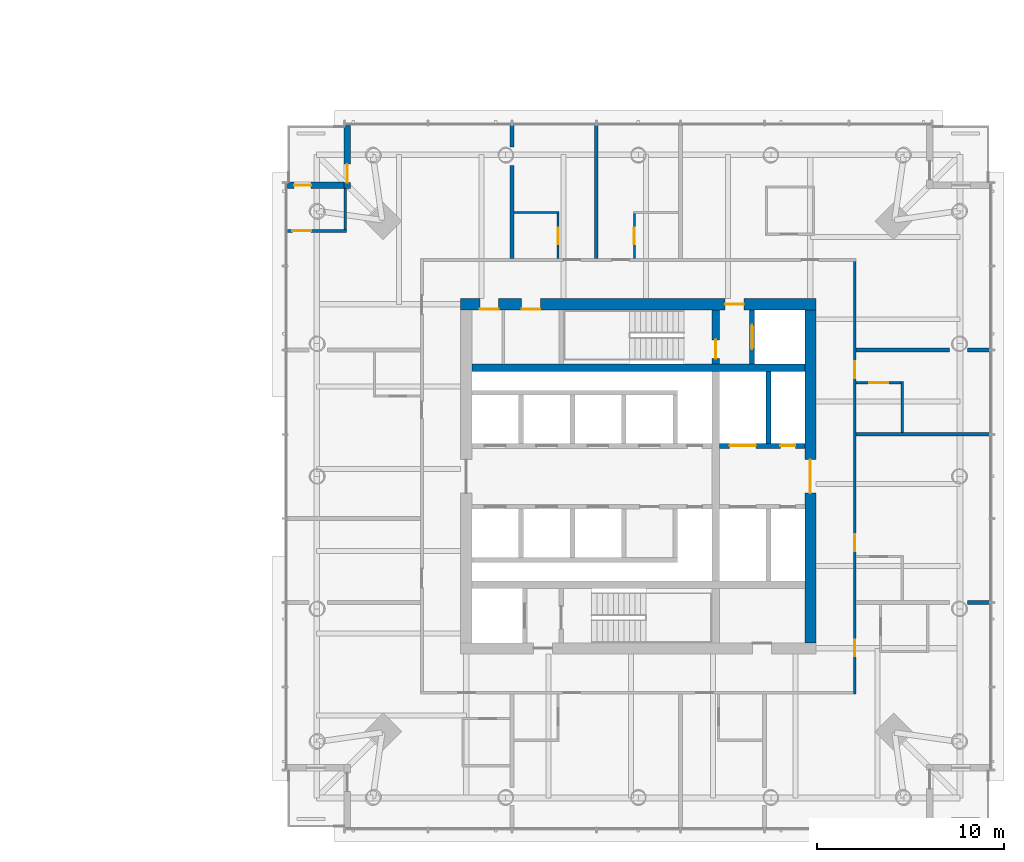
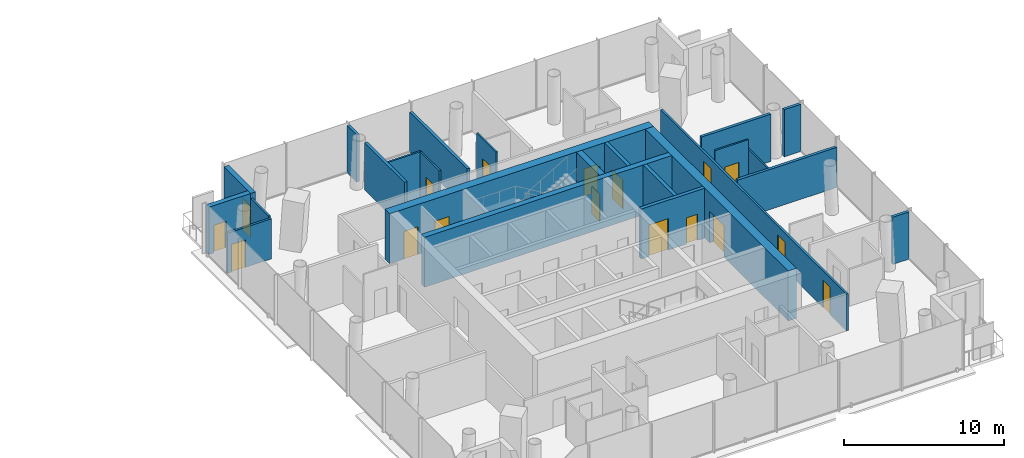
# One storey, part 14 of 22: 24 walls, 17 doors, 17 openings.
"""IFC4 building model written with IfcOpenShell, lengths in metres."""

from ifc_helpers import new_model, si_unit, direction, frame, frame_2d, origin, place, context, subcontext, project, spatial, rectangle, extrude, material, layer, layer_set, type_object, element, fill, save


model = new_model("IFC4")

# Units and contexts
model_context = context("Model", 3, precision=1e-05, world=origin(), true_north=direction((0.0, 1.0)))
body_context = subcontext(model_context, "Body", "Model", "MODEL_VIEW")
ifc_project = project(units=[si_unit("LENGTHUNIT", "METRE"), si_unit("AREAUNIT", "SQUARE_METRE"), si_unit("VOLUMEUNIT", "CUBIC_METRE"), si_unit("PLANEANGLEUNIT", "RADIAN"), si_unit("MASSUNIT", "GRAM", prefix="KILO")], contexts=[model_context])

# Site, building, storey
site_placement = place(None, origin())
site = spatial("IfcSite", under=ifc_project, at=site_placement, CompositionType="ELEMENT")
building_placement = place(site_placement, origin())
building = spatial("IfcBuilding", under=site, at=building_placement, Name="Ostroluk Exchange", CompositionType="ELEMENT")
storey_placement = place(building_placement, frame((0.0, 0.0, 62.800048828125)))
storey = spatial("IfcBuildingStorey", under=building, at=storey_placement, Name="L15", CompositionType="ELEMENT", Elevation=62.800048828125)

# Wall
ifc_material_1 = material(Name="Concrete C50/60", Category="concrete")
ifc_layer_1 = layer(ifc_material_1, 0.39990234375)
ifc_layer_set_1 = layer_set([ifc_layer_1], Name="Core cross wall 400 C50/60")
wall_type_1 = type_object("IfcWallType", Name="Core cross wall 400 C50/60", PredefinedType="SHEAR", material=ifc_layer_set_1)
wall_1_placement = place(storey_placement, frame((108.10009765625, 51.800048828125, 0.0), z_axis=(0.0, 0.0, 1.0), x_axis=(1.0, 0.0, 0.0)))
element("IfcWall", 1, at=wall_1_placement, inside=storey, type_object=wall_type_1, Name="T2 core wall XN", PredefinedType="SHEAR", context=body_context, shape_type="SweptSolid", body=[
    extrude(rectangle(XDim=17.7998046875, YDim=0.39990234375, at=frame_2d((8.89990234375, 0.0))), origin(), (0.0, 0.0, 1.0), 3.800048828125),
])

# Wall, opening, door
wall_2_placement = place(storey_placement, frame((121.1298828125, 52.0, 0.0), z_axis=(0.0, 0.0, 1.0), x_axis=(0.0, 1.0, 0.0)))
wall_2 = element("IfcWall", 2, at=wall_2_placement, inside=storey, type_object=wall_type_1, Name="T2 core wall YE3", PredefinedType="SHEAR", context=body_context, shape_type="SweptSolid", body=[
    extrude(rectangle(XDim=2.89990234375, YDim=0.39990234375, at=frame_2d((1.449951171875, 0.0))), origin(), (0.0, 0.0, 1.0), 3.800048828125),
])
opening_1_placement = place(wall_2_placement, frame((0.300048828125, 0.0, 0.0)))
opening_1 = element("IfcOpeningElement", 3, at=opening_1_placement, cuts=wall_2, Name="Opening FD60", PredefinedType="OPENING", context=body_context, shape_type="SweptSolid", body=[
    extrude(rectangle(XDim=1.0, YDim=2.10009765625, at=frame_2d((0.5, 1.050048828125))), frame((0.0, 0.2099609375, 0.0), z_axis=(0.0, -1.0, 0.0), x_axis=(1.0, 0.0, 0.0)), (0.0, 0.0, 1.0), 0.419921875),
])
ifc_material_2 = material(Name="Steel", Category="steel")
door_type_1 = type_object("IfcDoorType", Name="Fire door EI 60 1000 x 2100", OperationType="SINGLE_SWING_LEFT", PredefinedType="DOOR", material=ifc_material_2)
door_1_placement = place(opening_1_placement, origin())
door_1 = element("IfcDoor", 4, at=door_1_placement, inside=storey, type_object=door_type_1, Name="Stair T2-S2 door", OperationType="SINGLE_SWING_LEFT", OverallHeight=2.10009765625, OverallWidth=1.0, PredefinedType="DOOR", context=body_context, shape_type="SweptSolid", body=[
    extrude(rectangle(XDim=1.0, YDim=2.10009765625, at=frame_2d((0.5, 1.050048828125))), frame((0.0, 0.02490234375, 0.0), z_axis=(0.0, -1.0, 0.0), x_axis=(1.0, 0.0, 0.0)), (0.0, 0.0, 1.0), 0.050048828125),
])
fill(opening_1, door_1)

ifc_material_3 = material(Name="Concrete C40/50", Category="concrete")
ifc_layer_2 = layer(ifc_material_3, 0.25)
ifc_layer_set_2 = layer_set([ifc_layer_2], Name="Core shaft wall 250")
wall_type_2 = type_object("IfcWallType", Name="Core shaft wall 250", PredefinedType="SHEAR", material=ifc_layer_set_2)
wall_3_placement = place(storey_placement, frame((123.074951171875, 52.0, 0.0), z_axis=(0.0, 0.0, 1.0), x_axis=(0.0, 1.0, 0.0)))
wall_3 = element("IfcWall", 5, at=wall_3_placement, inside=storey, type_object=wall_type_2, Name="Firefighting lift shaft wall", PredefinedType="SHEAR", context=body_context, shape_type="SweptSolid", body=[
    extrude(rectangle(XDim=2.89990234375, YDim=0.25, at=frame_2d((1.449951171875, 0.0))), origin(), (0.0, 0.0, 1.0), 3.800048828125),
])
opening_2_placement = place(wall_3_placement, frame((0.800048828125, 0.0, 0.0)))
opening_2 = element("IfcOpeningElement", 6, at=opening_2_placement, cuts=wall_3, Name="Opening LD2", PredefinedType="OPENING", context=body_context, shape_type="SweptSolid", body=[
    extrude(rectangle(XDim=1.300048828125, YDim=2.199951171875, at=frame_2d((0.64990234375, 1.10009765625))), frame((0.0, 0.135009765625, 0.0), z_axis=(0.0, -1.0, 0.0), x_axis=(1.0, 0.0, 0.0)), (0.0, 0.0, 1.0), 0.27001953125),
])
ifc_material_4 = material(Name="Stainless steel", Category="steel")
door_type_2 = type_object("IfcDoorType", Name="Lift landing door E 60 1300 x 2200", OperationType="DOUBLE_DOOR_SLIDING", PredefinedType="DOOR", material=ifc_material_4)
door_2_placement = place(opening_2_placement, origin())
door_2 = element("IfcDoor", 7, at=door_2_placement, inside=storey, type_object=door_type_2, Name="Lift HF2 landing door", OperationType="DOUBLE_DOOR_SLIDING", OverallHeight=2.199951171875, OverallWidth=1.300048828125, PredefinedType="DOOR", context=body_context, shape_type="SweptSolid", body=[
    extrude(rectangle(XDim=1.300048828125, YDim=2.199951171875, at=frame_2d((0.64990234375, 1.10009765625))), frame((0.0, 0.02490234375, 0.0), z_axis=(0.0, -1.0, 0.0), x_axis=(1.0, 0.0, 0.0)), (0.0, 0.0, 1.0), 0.050048828125),
])
fill(opening_2, door_2)

# Wall
wall_4_placement = place(storey_placement, frame((123.955078125, 47.75, 0.0), z_axis=(0.0, 0.0, 1.0), x_axis=(0.0, 1.0, 0.0)))
element("IfcWall", 8, at=wall_4_placement, inside=storey, type_object=wall_type_2, Name="Lift shaft wall", PredefinedType="SHEAR", context=body_context, shape_type="SweptSolid", body=[
    extrude(rectangle(XDim=3.85009765625, YDim=0.25, at=frame_2d((1.925048828125, 0.0))), origin(), (0.0, 0.0, 1.0), 3.800048828125),
])

# Wall, openings, doors
wall_5_placement = place(storey_placement, frame((121.330078125, 47.625, 0.0), z_axis=(0.0, 0.0, 1.0), x_axis=(1.0, 0.0, 0.0)))
wall_5 = element("IfcWall", 9, at=wall_5_placement, inside=storey, type_object=wall_type_2, Name="Lift shaft front wall", PredefinedType="SHEAR", context=body_context, shape_type="SweptSolid", body=[
    extrude(rectangle(XDim=4.56982421875, YDim=0.25, at=frame_2d((2.284912109375, 0.0))), origin(), (0.0, 0.0, 1.0), 3.800048828125),
])
opening_3_placement = place(wall_5_placement, frame((0.550048828125, 0.0, 0.0)))
opening_3 = element("IfcOpeningElement", 10, at=opening_3_placement, cuts=wall_5, Name="Opening LD3", PredefinedType="OPENING", context=body_context, shape_type="SweptSolid", body=[
    extrude(rectangle(XDim=1.39990234375, YDim=2.39990234375, at=frame_2d((0.699951171875, 1.199951171875))), frame((0.0, 0.135009765625, 0.0), z_axis=(0.0, -1.0, 0.0), x_axis=(1.0, 0.0, 0.0)), (0.0, 0.0, 1.0), 0.27001953125),
])
opening_4_placement = place(wall_5_placement, frame((3.260009765625, 0.0, 0.0)))
opening_4 = element("IfcOpeningElement", 11, at=opening_4_placement, cuts=wall_5, Name="Opening RD60", PredefinedType="OPENING", context=body_context, shape_type="SweptSolid", body=[
    extrude(rectangle(XDim=0.800048828125, YDim=2.0, at=frame_2d((0.39990234375, 1.0))), frame((0.0, 0.135009765625, 0.0), z_axis=(0.0, -1.0, 0.0), x_axis=(1.0, 0.0, 0.0)), (0.0, 0.0, 1.0), 0.27001953125),
])
ifc_material_5 = material(Name="Stainless steel", Category="steel")
door_type_3 = type_object("IfcDoorType", Name="Goods lift landing door E 60 1400 x 2400", OperationType="DOUBLE_DOOR_SLIDING", PredefinedType="DOOR", material=ifc_material_5)
door_3_placement = place(opening_3_placement, origin())
door_3 = element("IfcDoor", 12, at=door_3_placement, inside=storey, type_object=door_type_3, Name="Lift HS1 landing door", OperationType="DOUBLE_DOOR_SLIDING", OverallHeight=2.39990234375, OverallWidth=1.39990234375, PredefinedType="DOOR", context=body_context, shape_type="SweptSolid", body=[
    extrude(rectangle(XDim=1.39990234375, YDim=2.39990234375, at=frame_2d((0.699951171875, 1.199951171875))), frame((0.0, 0.02490234375, 0.0), z_axis=(0.0, -1.0, 0.0), x_axis=(1.0, 0.0, 0.0)), (0.0, 0.0, 1.0), 0.050048828125),
])
fill(opening_3, door_3)
ifc_material_6 = material(Name="Steel", Category="steel")
door_type_4 = type_object("IfcDoorType", Name="Riser access door EI 60 800 x 2000", OperationType="SINGLE_SWING_LEFT", PredefinedType="DOOR", material=ifc_material_6)
door_4_placement = place(opening_4_placement, origin())
door_4 = element("IfcDoor", 13, at=door_4_placement, inside=storey, type_object=door_type_4, Name="Riser access door", OperationType="SINGLE_SWING_RIGHT", OverallHeight=2.0, OverallWidth=0.800048828125, PredefinedType="DOOR", context=body_context, shape_type="SweptSolid", body=[
    extrude(rectangle(XDim=0.800048828125, YDim=2.0, at=frame_2d((0.39990234375, 1.0))), frame((0.0, 0.02490234375, 0.0), z_axis=(0.0, -1.0, 0.0), x_axis=(1.0, 0.0, 0.0)), (0.0, 0.0, 1.0), 0.050048828125),
])
fill(opening_4, door_4)

ifc_material_7 = material(Name="Concrete C50/60", Category="concrete")
ifc_layer_3 = layer(ifc_material_7, 0.60009765625)
ifc_layer_set_3 = layer_set([ifc_layer_3], Name="Core wall 600 C50/60")
wall_type_3 = type_object("IfcWallType", Name="Core wall 600 C50/60", PredefinedType="SHEAR", material=ifc_layer_set_3)
wall_6_placement = place(storey_placement, frame((107.5, 55.199951171875, 0.0), z_axis=(0.0, 0.0, 1.0), x_axis=(1.0, 0.0, 0.0)))
wall_6 = element("IfcWall", 14, at=wall_6_placement, inside=storey, type_object=wall_type_3, Name="T2 core wall N", PredefinedType="SHEAR", context=body_context, shape_type="SweptSolid", body=[
    extrude(rectangle(XDim=19.0, YDim=0.60009765625, at=frame_2d((9.5, 0.0))), origin(), (0.0, 0.0, 1.0), 3.800048828125),
])
opening_5_placement = place(wall_6_placement, frame((14.139892578125, 0.0, 0.0)))
opening_5 = element("IfcOpeningElement", 15, at=opening_5_placement, cuts=wall_6, Name="Opening FD60", PredefinedType="OPENING", context=body_context, shape_type="SweptSolid", body=[
    extrude(rectangle(XDim=1.0, YDim=2.10009765625, at=frame_2d((0.5, 1.050048828125))), frame((0.0, 0.31005859375, 0.0), z_axis=(0.0, -1.0, 0.0), x_axis=(1.0, 0.0, 0.0)), (0.0, 0.0, 1.0), 0.6201171875),
])
opening_6_placement = place(wall_6_placement, frame((1.02392578125, 0.0, 0.0)))
opening_6 = element("IfcOpeningElement", 16, at=opening_6_placement, cuts=wall_6, Name="Opening FD60", PredefinedType="OPENING", context=body_context, shape_type="SweptSolid", body=[
    extrude(rectangle(XDim=1.0, YDim=2.10009765625, at=frame_2d((0.5, 1.050048828125))), frame((0.0, 0.31005859375, 0.0), z_axis=(0.0, -1.0, 0.0), x_axis=(1.0, 0.0, 0.0)), (0.0, 0.0, 1.0), 0.6201171875),
])
opening_7_placement = place(wall_6_placement, frame((3.261962890625, 0.0, 0.0)))
opening_7 = element("IfcOpeningElement", 17, at=opening_7_placement, cuts=wall_6, Name="Opening FD60", PredefinedType="OPENING", context=body_context, shape_type="SweptSolid", body=[
    extrude(rectangle(XDim=1.0, YDim=2.10009765625, at=frame_2d((0.5, 1.050048828125))), frame((0.0, 0.31005859375, 0.0), z_axis=(0.0, -1.0, 0.0), x_axis=(1.0, 0.0, 0.0)), (0.0, 0.0, 1.0), 0.6201171875),
])
door_5_placement = place(opening_5_placement, origin())
door_5 = element("IfcDoor", 18, at=door_5_placement, inside=storey, type_object=door_type_1, Name="Firefighting lobby door", OperationType="SINGLE_SWING_RIGHT", OverallHeight=2.10009765625, OverallWidth=1.0, PredefinedType="DOOR", context=body_context, shape_type="SweptSolid", body=[
    extrude(rectangle(XDim=1.0, YDim=2.10009765625, at=frame_2d((0.5, 1.050048828125))), frame((0.0, 0.02490234375, 0.0), z_axis=(0.0, -1.0, 0.0), x_axis=(1.0, 0.0, 0.0)), (0.0, 0.0, 1.0), 0.050048828125),
])
fill(opening_5, door_5)
door_6_placement = place(opening_6_placement, origin())
door_6 = element("IfcDoor", 19, at=door_6_placement, inside=storey, type_object=door_type_1, Name="Housekeeping store door", OperationType="SINGLE_SWING_LEFT", OverallHeight=2.10009765625, OverallWidth=1.0, PredefinedType="DOOR", context=body_context, shape_type="SweptSolid", body=[
    extrude(rectangle(XDim=1.0, YDim=2.10009765625, at=frame_2d((0.5, 1.050048828125))), frame((0.0, -0.23974609375, 0.0), z_axis=(0.0, -1.0, 0.0), x_axis=(1.0, 0.0, 0.0)), (0.0, 0.0, 1.0), 0.050048828125),
])
fill(opening_6, door_6)
door_7_placement = place(opening_7_placement, origin())
door_7 = element("IfcDoor", 20, at=door_7_placement, inside=storey, type_object=door_type_1, Name="Guest pantry door", OperationType="SINGLE_SWING_LEFT", OverallHeight=2.10009765625, OverallWidth=1.0, PredefinedType="DOOR", context=body_context, shape_type="SweptSolid", body=[
    extrude(rectangle(XDim=1.0, YDim=2.10009765625, at=frame_2d((0.5, 1.050048828125))), frame((0.0, -0.23974609375, 0.0), z_axis=(0.0, -1.0, 0.0), x_axis=(1.0, 0.0, 0.0)), (0.0, 0.0, 1.0), 0.050048828125),
])
fill(opening_7, door_7)

# Wall, opening, door
wall_7_placement = place(storey_placement, frame((126.199951171875, 37.10009765625, 0.0), z_axis=(0.0, 0.0, 1.0), x_axis=(0.0, 1.0, 0.0)))
wall_7 = element("IfcWall", 21, at=wall_7_placement, inside=storey, type_object=wall_type_3, Name="T2 core wall E", PredefinedType="SHEAR", context=body_context, shape_type="SweptSolid", body=[
    extrude(rectangle(XDim=17.7998046875, YDim=0.60009765625, at=frame_2d((8.89990234375, 0.0))), origin(), (0.0, 0.0, 1.0), 3.800048828125),
])
opening_8_placement = place(wall_7_placement, frame((8.0, 0.0, 0.0)))
opening_8 = element("IfcOpeningElement", 22, at=opening_8_placement, cuts=wall_7, Name="Opening FD30D", PredefinedType="OPENING", context=body_context, shape_type="SweptSolid", body=[
    extrude(rectangle(XDim=1.800048828125, YDim=2.39990234375, at=frame_2d((0.89990234375, 1.199951171875))), frame((0.0, 0.31005859375, 0.0), z_axis=(0.0, -1.0, 0.0), x_axis=(1.0, 0.0, 0.0)), (0.0, 0.0, 1.0), 0.6201171875),
])
ifc_material_8 = material(Name="Timber", Category="wood")
door_type_5 = type_object("IfcDoorType", Name="Lobby double door EI 30 1800 x 2400", OperationType="DOUBLE_DOOR_SINGLE_SWING", PredefinedType="DOOR", material=ifc_material_8)
door_8_placement = place(opening_8_placement, origin())
door_8 = element("IfcDoor", 23, at=door_8_placement, inside=storey, type_object=door_type_5, Name="Lift lobby doors", OperationType="DOUBLE_DOOR_SINGLE_SWING", OverallHeight=2.39990234375, OverallWidth=1.800048828125, PredefinedType="DOOR", context=body_context, shape_type="SweptSolid", body=[
    extrude(rectangle(XDim=1.800048828125, YDim=2.39990234375, at=frame_2d((0.89990234375, 1.199951171875))), frame((0.0, 0.02490234375, 0.0), z_axis=(0.0, -1.0, 0.0), x_axis=(1.0, 0.0, 0.0)), (0.0, 0.0, 1.0), 0.050048828125),
])
fill(opening_8, door_8)

ifc_material_9 = material(Name="Limestone", Category="masonry")
ifc_layer_4 = layer(ifc_material_9, 0.35009765625)
ifc_layer_set_4 = layer_set([ifc_layer_4], Name="Limestone facade wall 350")
wall_type_4 = type_object("IfcWallType", Name="Limestone facade wall 350", PredefinedType="SOLIDWALL", material=ifc_layer_set_4)
wall_8_placement = place(storey_placement, frame((101.425048828125, 64.75, 0.0), z_axis=(0.0, 0.0, 1.0), x_axis=(0.0, -1.0, 0.0)))
wall_8 = element("IfcWall", 24, at=wall_8_placement, inside=storey, type_object=wall_type_4, Name="Hotel tower NW corner wall L15 a", PredefinedType="SOLIDWALL", context=body_context, shape_type="SweptSolid", body=[
    extrude(rectangle(XDim=3.35009765625, YDim=0.35009765625, at=frame_2d((1.675048828125, 0.0))), origin(), (0.0, 0.0, 1.0), 3.599853515625),
])
opening_9_placement = place(wall_8_placement, frame((2.050048828125, 0.0, 0.0)))
opening_9 = element("IfcOpeningElement", 25, at=opening_9_placement, cuts=wall_8, Name="Opening D-B1", PredefinedType="OPENING", context=body_context, shape_type="SweptSolid", body=[
    extrude(rectangle(XDim=1.0, YDim=2.39990234375, at=frame_2d((0.5, 1.199951171875))), frame((0.0, 0.18505859375, 0.0), z_axis=(0.0, -1.0, 0.0), x_axis=(1.0, 0.0, 0.0)), (0.0, 0.0, 1.0), 0.3701171875),
])
ifc_material_10 = material(Name="Bronze framed glazed door", Category="aluminium")
door_type_6 = type_object("IfcDoorType", Name="Balcony door 1000 x 2400", OperationType="SINGLE_SWING_LEFT", PredefinedType="DOOR", material=ifc_material_10)
door_9_placement = place(opening_9_placement, origin())
door_9 = element("IfcDoor", 26, at=door_9_placement, inside=storey, type_object=door_type_6, Name="Hotel tower NW balcony door L15", OperationType="SINGLE_SWING_RIGHT", OverallHeight=2.39990234375, OverallWidth=1.0, PredefinedType="DOOR", context=body_context, shape_type="SweptSolid", body=[
    extrude(rectangle(XDim=1.0, YDim=2.39990234375, at=frame_2d((0.5, 1.199951171875))), frame((0.0, 0.02490234375, 0.0), z_axis=(0.0, -1.0, 0.0), x_axis=(1.0, 0.0, 0.0)), (0.0, 0.0, 1.0), 0.050048828125),
])
fill(opening_9, door_9)

wall_9_placement = place(storey_placement, frame((101.25, 61.574951171875, 0.0), z_axis=(0.0, 0.0, 1.0), x_axis=(-1.0, 0.0, 0.0)))
wall_9 = element("IfcWall", 27, at=wall_9_placement, inside=storey, type_object=wall_type_4, Name="Hotel tower NW corner wall L15 b", PredefinedType="SOLIDWALL", context=body_context, shape_type="SweptSolid", body=[
    extrude(rectangle(XDim=3.0, YDim=0.35009765625, at=frame_2d((1.5, 0.0))), origin(), (0.0, 0.0, 1.0), 3.599853515625),
])
opening_10_placement = place(wall_9_placement, frame((1.75, 0.0, 0.0)))
opening_10 = element("IfcOpeningElement", 28, at=opening_10_placement, cuts=wall_9, Name="Opening D-M1", PredefinedType="OPENING", context=body_context, shape_type="SweptSolid", body=[
    extrude(rectangle(XDim=0.89990234375, YDim=2.10009765625, at=frame_2d((0.449951171875, 1.050048828125))), frame((0.0, 0.18505859375, 0.0), z_axis=(0.0, -1.0, 0.0), x_axis=(1.0, 0.0, 0.0)), (0.0, 0.0, 1.0), 0.3701171875),
])
ifc_material_11 = material(Name="Steel door", Category="steel")
door_type_7 = type_object("IfcDoorType", Name="Maintenance access door 900 x 2100", OperationType="SINGLE_SWING_LEFT", PredefinedType="DOOR", material=ifc_material_11)
door_10_placement = place(opening_10_placement, origin())
door_10 = element("IfcDoor", 29, at=door_10_placement, inside=storey, type_object=door_type_7, Name="Maintenance access door T2 L15 NW", OperationType="SINGLE_SWING_RIGHT", OverallHeight=2.10009765625, OverallWidth=0.89990234375, PredefinedType="DOOR", context=body_context, shape_type="SweptSolid", body=[
    extrude(rectangle(XDim=0.89990234375, YDim=2.10009765625, at=frame_2d((0.449951171875, 1.050048828125))), frame((0.0, 0.02490234375, 0.0), z_axis=(0.0, -1.0, 0.0), x_axis=(1.0, 0.0, 0.0)), (0.0, 0.0, 1.0), 0.050048828125),
])
fill(opening_10, door_10)

# Wall
ifc_material_12 = material(Name="Gypsum plasterboard partition, moisture resistant", Category="gypsum")
ifc_layer_5 = layer(ifc_material_12, 0.1201171875)
ifc_layer_set_5 = layer_set([ifc_layer_5], Name="Plasterboard en-suite wall 120")
wall_type_5 = type_object("IfcWallType", Name="Plasterboard en-suite wall 120", PredefinedType="PARTITIONING", material=ifc_layer_set_5)
wall_10_placement = place(storey_placement, frame((131.110107421875, 48.35009765625, 0.0), z_axis=(0.0, 0.0, 1.0), x_axis=(0.0, 1.0, 0.0)))
element("IfcWall", 30, at=wall_10_placement, inside=storey, type_object=wall_type_5, Name="En-suite wall", PredefinedType="PARTITIONING", context=body_context, shape_type="SweptSolid", body=[
    extrude(rectangle(XDim=2.719970703125, YDim=0.1201171875, at=frame_2d((1.35986328125, 0.0))), origin(), (0.0, 0.0, 1.0), 2.846923828125),
])

# Wall, opening, door
wall_11_placement = place(storey_placement, frame((128.64990234375, 51.010009765625, 0.0), z_axis=(0.0, 0.0, 1.0), x_axis=(1.0, 0.0, 0.0)))
wall_11 = element("IfcWall", 31, at=wall_11_placement, inside=storey, type_object=wall_type_5, Name="En-suite wall", PredefinedType="PARTITIONING", context=body_context, shape_type="SweptSolid", body=[
    extrude(rectangle(XDim=2.400146484375, YDim=0.1201171875, at=frame_2d((1.2001953125, 0.0))), origin(), (0.0, 0.0, 1.0), 3.599853515625),
])
opening_11_placement = place(wall_11_placement, frame((0.699951171875, 0.0, 0.0)))
opening_11 = element("IfcOpeningElement", 32, at=opening_11_placement, cuts=wall_11, Name="Opening D-03", PredefinedType="OPENING", context=body_context, shape_type="SweptSolid", body=[
    extrude(rectangle(XDim=1.0, YDim=2.10009765625, at=frame_2d((0.5, 1.050048828125))), frame((0.0, 0.070068359375, 0.0), z_axis=(0.0, -1.0, 0.0), x_axis=(1.0, 0.0, 0.0)), (0.0, 0.0, 1.0), 0.14013671875),
])
ifc_material_13 = material(Name="Timber", Category="wood")
door_type_8 = type_object("IfcDoorType", Name="Internal door 1000 x 2100", OperationType="SINGLE_SWING_LEFT", PredefinedType="DOOR", material=ifc_material_13)
door_11_placement = place(opening_11_placement, origin())
door_11 = element("IfcDoor", 33, at=door_11_placement, inside=storey, type_object=door_type_8, Name="En-suite door 1503", OperationType="SINGLE_SWING_LEFT", OverallHeight=2.10009765625, OverallWidth=1.0, PredefinedType="DOOR", context=body_context, shape_type="SweptSolid", body=[
    extrude(rectangle(XDim=1.0, YDim=2.10009765625, at=frame_2d((0.5, 1.050048828125))), frame((0.0, 0.02490234375, 0.0), z_axis=(0.0, -1.0, 0.0), x_axis=(1.0, 0.0, 0.0)), (0.0, 0.0, 1.0), 0.050048828125),
])
fill(opening_11, door_11)

wall_12_placement = place(storey_placement, frame((116.7900390625, 57.64990234375, 0.0), z_axis=(0.0, 0.0, 1.0), x_axis=(0.0, 1.0, 0.0)))
wall_12 = element("IfcWall", 34, at=wall_12_placement, inside=storey, type_object=wall_type_5, Name="En-suite wall", PredefinedType="PARTITIONING", context=body_context, shape_type="SweptSolid", body=[
    extrude(rectangle(XDim=2.400146484375, YDim=0.1201171875, at=frame_2d((1.2001953125, 0.0))), origin(), (0.0, 0.0, 1.0), 3.599853515625),
])
opening_12_placement = place(wall_12_placement, frame((0.75, 0.0, 0.0)))
opening_12 = element("IfcOpeningElement", 35, at=opening_12_placement, cuts=wall_12, Name="Opening D-02", PredefinedType="OPENING", context=body_context, shape_type="SweptSolid", body=[
    extrude(rectangle(XDim=0.89990234375, YDim=2.10009765625, at=frame_2d((0.449951171875, 1.050048828125))), frame((0.0, 0.070068359375, 0.0), z_axis=(0.0, -1.0, 0.0), x_axis=(1.0, 0.0, 0.0)), (0.0, 0.0, 1.0), 0.14013671875),
])
ifc_material_14 = material(Name="Timber", Category="wood")
door_type_9 = type_object("IfcDoorType", Name="En-suite door 900 x 2100", OperationType="SINGLE_SWING_LEFT", PredefinedType="DOOR", material=ifc_material_14)
door_12_placement = place(opening_12_placement, origin())
door_12 = element("IfcDoor", 36, at=door_12_placement, inside=storey, type_object=door_type_9, Name="En-suite door 1505", OperationType="SINGLE_SWING_RIGHT", OverallHeight=2.10009765625, OverallWidth=0.89990234375, PredefinedType="DOOR", context=body_context, shape_type="SweptSolid", body=[
    extrude(rectangle(XDim=0.89990234375, YDim=2.10009765625, at=frame_2d((0.449951171875, 1.050048828125))), frame((0.0, 0.02490234375, 0.0), z_axis=(0.0, -1.0, 0.0), x_axis=(1.0, 0.0, 0.0)), (0.0, 0.0, 1.0), 0.050048828125),
])
fill(opening_12, door_12)

# Wall
wall_13_placement = place(storey_placement, frame((112.77001953125, 60.110107421875, 0.0), z_axis=(0.0, 0.0, 1.0), x_axis=(-1.0, 0.0, 0.0)))
element("IfcWall", 37, at=wall_13_placement, inside=storey, type_object=wall_type_5, Name="En-suite wall", PredefinedType="PARTITIONING", context=body_context, shape_type="SweptSolid", body=[
    extrude(rectangle(XDim=2.419921875, YDim=0.1201171875, at=frame_2d((1.2099609375, 0.0))), origin(), (0.0, 0.0, 1.0), 3.599853515625),
])

# Wall, opening, door
wall_14_placement = place(storey_placement, frame((112.7099609375, 57.64990234375, 0.0), z_axis=(0.0, 0.0, 1.0), x_axis=(0.0, 1.0, 0.0)))
wall_14 = element("IfcWall", 38, at=wall_14_placement, inside=storey, type_object=wall_type_5, Name="En-suite wall", PredefinedType="PARTITIONING", context=body_context, shape_type="SweptSolid", body=[
    extrude(rectangle(XDim=2.400146484375, YDim=0.1201171875, at=frame_2d((1.2001953125, 0.0))), origin(), (0.0, 0.0, 1.0), 3.599853515625),
])
opening_13_placement = place(wall_14_placement, frame((0.75, 0.0, 0.0)))
opening_13 = element("IfcOpeningElement", 39, at=opening_13_placement, cuts=wall_14, Name="Opening D-02", PredefinedType="OPENING", context=body_context, shape_type="SweptSolid", body=[
    extrude(rectangle(XDim=0.89990234375, YDim=2.10009765625, at=frame_2d((0.449951171875, 1.050048828125))), frame((0.0, 0.070068359375, 0.0), z_axis=(0.0, -1.0, 0.0), x_axis=(1.0, 0.0, 0.0)), (0.0, 0.0, 1.0), 0.14013671875),
])
door_13_placement = place(opening_13_placement, origin())
door_13 = element("IfcDoor", 40, at=door_13_placement, inside=storey, type_object=door_type_9, Name="En-suite door 1506", OperationType="SINGLE_SWING_RIGHT", OverallHeight=2.10009765625, OverallWidth=0.89990234375, PredefinedType="DOOR", context=body_context, shape_type="SweptSolid", body=[
    extrude(rectangle(XDim=0.89990234375, YDim=2.10009765625, at=frame_2d((0.449951171875, 1.050048828125))), frame((0.0, 0.02490234375, 0.0), z_axis=(0.0, -1.0, 0.0), x_axis=(1.0, 0.0, 0.0)), (0.0, 0.0, 1.0), 0.050048828125),
])
fill(opening_13, door_13)

# Wall, openings, doors
ifc_material_15 = material(Name="Gypsum plasterboard partition", Category="gypsum")
ifc_layer_6 = layer(ifc_material_15, 0.14990234375)
ifc_layer_set_6 = layer_set([ifc_layer_6], Name="Plasterboard partition 150")
wall_type_6 = type_object("IfcWallType", Name="Plasterboard partition 150", PredefinedType="PARTITIONING", material=ifc_layer_set_6)
wall_15_placement = place(storey_placement, frame((128.574951171875, 34.35009765625, 0.0), z_axis=(0.0, 0.0, 1.0), x_axis=(0.0, 1.0, 0.0)))
wall_15 = element("IfcWall", 41, at=wall_15_placement, inside=storey, type_object=wall_type_6, Name="Corridor wall", PredefinedType="PARTITIONING", context=body_context, shape_type="SweptSolid", body=[
    extrude(rectangle(XDim=23.14990234375, YDim=0.14990234375, at=frame_2d((11.574951171875, 0.0))), origin(), (0.0, 0.0, 1.0), 2.800048828125),
])
opening_14_placement = place(wall_15_placement, frame((2.02490234375, 0.0, 0.0)))
opening_14 = element("IfcOpeningElement", 42, at=opening_14_placement, cuts=wall_15, Name="Opening D-01", PredefinedType="OPENING", context=body_context, shape_type="SweptSolid", body=[
    extrude(rectangle(XDim=0.89990234375, YDim=2.10009765625, at=frame_2d((0.449951171875, 1.050048828125))), frame((0.0, 0.0849609375, 0.0), z_axis=(0.0, -1.0, 0.0), x_axis=(1.0, 0.0, 0.0)), (0.0, 0.0, 1.0), 0.169921875),
])
opening_15_placement = place(wall_15_placement, frame((7.64990234375, 0.0, 0.0)))
opening_15 = element("IfcOpeningElement", 43, at=opening_15_placement, cuts=wall_15, Name="Opening D-01", PredefinedType="OPENING", context=body_context, shape_type="SweptSolid", body=[
    extrude(rectangle(XDim=0.89990234375, YDim=2.10009765625, at=frame_2d((0.449951171875, 1.050048828125))), frame((0.0, 0.0849609375, 0.0), z_axis=(0.0, -1.0, 0.0), x_axis=(1.0, 0.0, 0.0)), (0.0, 0.0, 1.0), 0.169921875),
])
opening_16_placement = place(wall_15_placement, frame((16.89990234375, 0.0, 0.0)))
opening_16 = element("IfcOpeningElement", 44, at=opening_16_placement, cuts=wall_15, Name="Opening D-01", PredefinedType="OPENING", context=body_context, shape_type="SweptSolid", body=[
    extrude(rectangle(XDim=0.89990234375, YDim=2.10009765625, at=frame_2d((0.449951171875, 1.050048828125))), frame((0.0, 0.0849609375, 0.0), z_axis=(0.0, -1.0, 0.0), x_axis=(1.0, 0.0, 0.0)), (0.0, 0.0, 1.0), 0.169921875),
])
ifc_material_16 = material(Name="Timber", Category="wood")
door_type_10 = type_object("IfcDoorType", Name="Hotel room door EI 30 Sa 900 x 2100", OperationType="SINGLE_SWING_LEFT", PredefinedType="DOOR", material=ifc_material_16)
door_14_placement = place(opening_14_placement, origin())
door_14 = element("IfcDoor", 45, at=door_14_placement, inside=storey, type_object=door_type_10, Name="Room door 1501", OperationType="SINGLE_SWING_LEFT", OverallHeight=2.10009765625, OverallWidth=0.89990234375, PredefinedType="DOOR", context=body_context, shape_type="SweptSolid", body=[
    extrude(rectangle(XDim=0.89990234375, YDim=2.10009765625, at=frame_2d((0.449951171875, 1.050048828125))), frame((0.0, 0.02490234375, 0.0), z_axis=(0.0, -1.0, 0.0), x_axis=(1.0, 0.0, 0.0)), (0.0, 0.0, 1.0), 0.050048828125),
])
fill(opening_14, door_14)
door_15_placement = place(opening_15_placement, origin())
door_15 = element("IfcDoor", 46, at=door_15_placement, inside=storey, type_object=door_type_10, Name="Room door 1502", OperationType="SINGLE_SWING_LEFT", OverallHeight=2.10009765625, OverallWidth=0.89990234375, PredefinedType="DOOR", context=body_context, shape_type="SweptSolid", body=[
    extrude(rectangle(XDim=0.89990234375, YDim=2.10009765625, at=frame_2d((0.449951171875, 1.050048828125))), frame((0.0, 0.02490234375, 0.0), z_axis=(0.0, -1.0, 0.0), x_axis=(1.0, 0.0, 0.0)), (0.0, 0.0, 1.0), 0.050048828125),
])
fill(opening_15, door_15)
door_16_placement = place(opening_16_placement, origin())
door_16 = element("IfcDoor", 47, at=door_16_placement, inside=storey, type_object=door_type_10, Name="Room door 1503", OperationType="SINGLE_SWING_RIGHT", OverallHeight=2.10009765625, OverallWidth=0.89990234375, PredefinedType="DOOR", context=body_context, shape_type="SweptSolid", body=[
    extrude(rectangle(XDim=0.89990234375, YDim=2.10009765625, at=frame_2d((0.449951171875, 1.050048828125))), frame((0.0, 0.02490234375, 0.0), z_axis=(0.0, -1.0, 0.0), x_axis=(1.0, 0.0, 0.0)), (0.0, 0.0, 1.0), 0.050048828125),
])
fill(opening_16, door_16)

# Wall, opening, door
wall_16_placement = place(storey_placement, frame((101.39990234375, 59.125, 0.0), z_axis=(0.0, 0.0, 1.0), x_axis=(-1.0, 0.0, 0.0)))
wall_16 = element("IfcWall", 48, at=wall_16_placement, inside=storey, type_object=wall_type_6, Name="Partition", PredefinedType="PARTITIONING", context=body_context, shape_type="SweptSolid", body=[
    extrude(rectangle(XDim=3.18994140625, YDim=0.14990234375, at=frame_2d((1.594970703125, 0.0))), origin(), (0.0, 0.0, 1.0), 3.050048828125),
])
opening_17_placement = place(wall_16_placement, frame((1.89990234375, 0.0, 0.0)))
opening_17 = element("IfcOpeningElement", 49, at=opening_17_placement, cuts=wall_16, Name="Opening D-03", PredefinedType="OPENING", context=body_context, shape_type="SweptSolid", body=[
    extrude(rectangle(XDim=1.0, YDim=2.10009765625, at=frame_2d((0.5, 1.050048828125))), frame((0.0, 0.0849609375, 0.0), z_axis=(0.0, -1.0, 0.0), x_axis=(1.0, 0.0, 0.0)), (0.0, 0.0, 1.0), 0.169921875),
])
door_17_placement = place(opening_17_placement, origin())
door_17 = element("IfcDoor", 50, at=door_17_placement, inside=storey, type_object=door_type_8, Name="Facade maintenance store door", OperationType="SINGLE_SWING_RIGHT", OverallHeight=2.10009765625, OverallWidth=1.0, PredefinedType="DOOR", context=body_context, shape_type="SweptSolid", body=[
    extrude(rectangle(XDim=1.0, YDim=2.10009765625, at=frame_2d((0.5, 1.050048828125))), frame((0.0, 0.02490234375, 0.0), z_axis=(0.0, -1.0, 0.0), x_axis=(1.0, 0.0, 0.0)), (0.0, 0.0, 1.0), 0.050048828125),
])
fill(opening_17, door_17)

# Walls
wall_17_placement = place(storey_placement, frame((101.324951171875, 59.199951171875, 0.0), z_axis=(0.0, 0.0, 1.0), x_axis=(0.0, 1.0, 0.0)))
element("IfcWall", 51, at=wall_17_placement, inside=storey, type_object=wall_type_6, Name="Partition", PredefinedType="PARTITIONING", context=body_context, shape_type="SweptSolid", body=[
    extrude(rectangle(XDim=2.199951171875, YDim=0.14990234375, at=frame_2d((1.10009765625, 0.0))), origin(), (0.0, 0.0, 1.0), 3.199951171875),
])
ifc_material_17 = material(Name="Gypsum plasterboard partition", Category="gypsum")
ifc_layer_7 = layer(ifc_material_17, 0.199951171875)
ifc_layer_set_7 = layer_set([ifc_layer_7], Name="Plasterboard party wall 200")
wall_type_7 = type_object("IfcWallType", Name="Plasterboard party wall 200", PredefinedType="PARTITIONING", material=ifc_layer_set_7)
wall_18_placement = place(storey_placement, frame((134.604736328125, 39.25, 0.0), z_axis=(0.0, 0.0, 1.0), x_axis=(1.0, 0.0, 0.0)))
element("IfcWall", 52, at=wall_18_placement, inside=storey, type_object=wall_type_7, Name="Party wall", PredefinedType="PARTITIONING", context=body_context, shape_type="SweptSolid", body=[
    extrude(rectangle(XDim=1.185302734375, YDim=0.199951171875, at=frame_2d((0.5927734375, 0.0))), origin(), (0.0, 0.0, 1.0), 3.599853515625),
])
wall_19_placement = place(storey_placement, frame((128.64990234375, 48.25, 0.0), z_axis=(0.0, 0.0, 1.0), x_axis=(1.0, 0.0, 0.0)))
element("IfcWall", 53, at=wall_19_placement, inside=storey, type_object=wall_type_7, Name="Party wall", PredefinedType="PARTITIONING", context=body_context, shape_type="SweptSolid", body=[
    extrude(rectangle(XDim=7.14013671875, YDim=0.199951171875, at=frame_2d((3.570068359375, 0.0))), origin(), (0.0, 0.0, 1.0), 3.050048828125),
])
wall_20_placement = place(storey_placement, frame((128.64990234375, 52.75, 0.0), z_axis=(0.0, 0.0, 1.0), x_axis=(1.0, 0.0, 0.0)))
element("IfcWall", 54, at=wall_20_placement, inside=storey, type_object=wall_type_7, Name="Party wall", PredefinedType="PARTITIONING", context=body_context, shape_type="SweptSolid", body=[
    extrude(rectangle(XDim=4.97802734375, YDim=0.199951171875, at=frame_2d((2.489013671875, 0.0))), origin(), (0.0, 0.0, 1.0), 3.599853515625),
])
wall_21_placement = place(storey_placement, frame((134.604736328125, 52.75, 0.0), z_axis=(0.0, 0.0, 1.0), x_axis=(1.0, 0.0, 0.0)))
element("IfcWall", 55, at=wall_21_placement, inside=storey, type_object=wall_type_7, Name="Party wall", PredefinedType="PARTITIONING", context=body_context, shape_type="SweptSolid", body=[
    extrude(rectangle(XDim=1.185302734375, YDim=0.199951171875, at=frame_2d((0.5927734375, 0.0))), origin(), (0.0, 0.0, 1.0), 3.599853515625),
])
wall_22_placement = place(storey_placement, frame((114.75, 57.64990234375, 0.0), z_axis=(0.0, 0.0, 1.0), x_axis=(0.0, 1.0, 0.0)))
element("IfcWall", 56, at=wall_22_placement, inside=storey, type_object=wall_type_7, Name="Party wall", PredefinedType="PARTITIONING", context=body_context, shape_type="SweptSolid", body=[
    extrude(rectangle(XDim=7.14013671875, YDim=0.199951171875, at=frame_2d((3.570068359375, 0.0))), origin(), (0.0, 0.0, 1.0), 3.050048828125),
])
wall_23_placement = place(storey_placement, frame((110.25, 57.64990234375, 0.0), z_axis=(0.0, 0.0, 1.0), x_axis=(0.0, 1.0, 0.0)))
element("IfcWall", 57, at=wall_23_placement, inside=storey, type_object=wall_type_7, Name="Party wall", PredefinedType="PARTITIONING", context=body_context, shape_type="SweptSolid", body=[
    extrude(rectangle(XDim=4.97802734375, YDim=0.199951171875, at=frame_2d((2.489013671875, 0.0))), origin(), (0.0, 0.0, 1.0), 3.599853515625),
])
wall_24_placement = place(storey_placement, frame((110.25, 63.604736328125, 0.0), z_axis=(0.0, 0.0, 1.0), x_axis=(0.0, 1.0, 0.0)))
element("IfcWall", 58, at=wall_24_placement, inside=storey, type_object=wall_type_7, Name="Party wall", PredefinedType="PARTITIONING", context=body_context, shape_type="SweptSolid", body=[
    extrude(rectangle(XDim=1.185302734375, YDim=0.199951171875, at=frame_2d((0.5927734375, 0.0))), origin(), (0.0, 0.0, 1.0), 3.599853515625),
])

save(model, "model.ifc")
